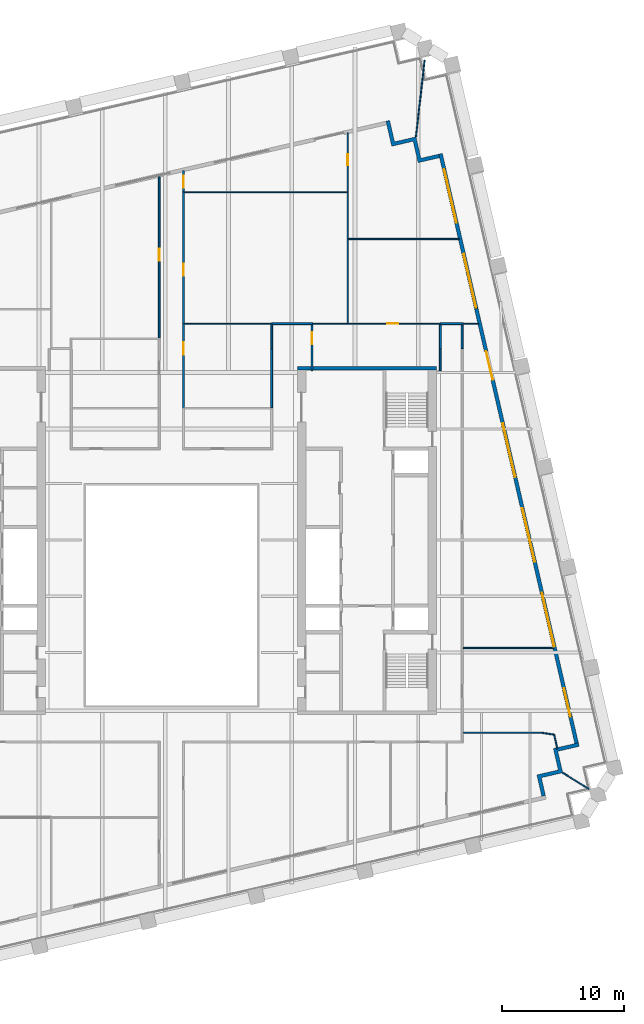
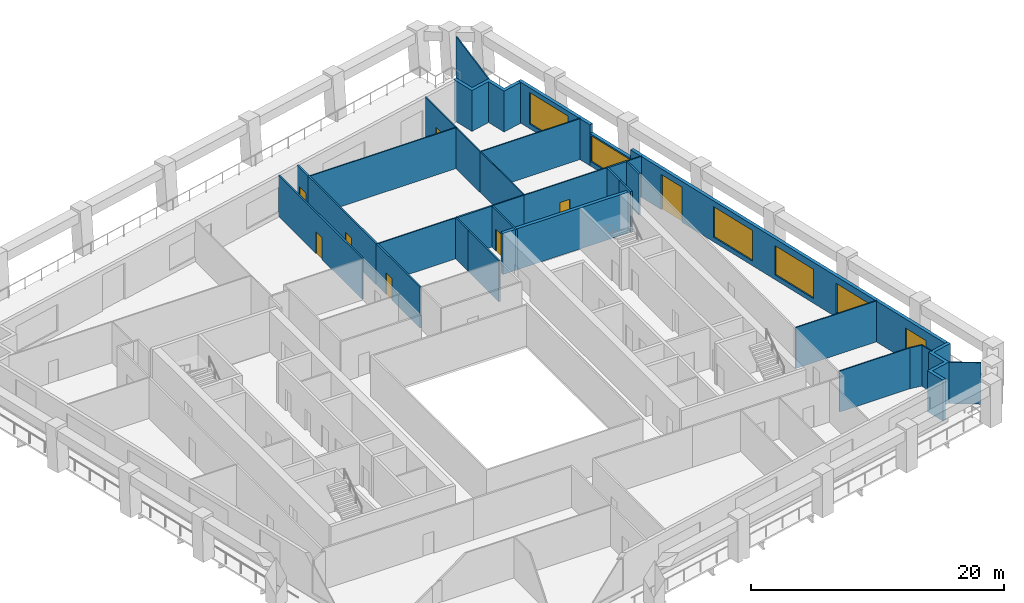
# One storey, part 8 of 11: 33 walls, 9 doors, 5 windows, 14 openings.
"""IFC4 building model written with IfcOpenShell, lengths in metres."""

from ifc_helpers import new_model, si_unit, direction, frame, frame_2d, origin, place, context, subcontext, project, spatial, polyline, rectangle, outline, extrude, material, layer, layer_set, type_object, element, fill, save


model = new_model("IFC4")

# Units and contexts
model_context = context("Model", 3, precision=1e-05, world=origin(), true_north=direction((0.0, 1.0)))
body_context = subcontext(model_context, "Body", "Model", "MODEL_VIEW")
ifc_project = project(units=[si_unit("LENGTHUNIT", "METRE"), si_unit("AREAUNIT", "SQUARE_METRE"), si_unit("VOLUMEUNIT", "CUBIC_METRE"), si_unit("PLANEANGLEUNIT", "RADIAN"), si_unit("MASSUNIT", "GRAM", prefix="KILO")], contexts=[model_context])

# Site, building, storey
site_placement = place(None, origin())
site = spatial("IfcSite", under=ifc_project, at=site_placement, CompositionType="ELEMENT")
building_placement = place(site_placement, origin())
building = spatial("IfcBuilding", under=site, at=building_placement, Name="Ogive Exchange Tower", CompositionType="ELEMENT")
storey_placement = place(building_placement, frame((0.0, 0.0, 217.800048828125)))
storey = spatial("IfcBuildingStorey", under=building, at=storey_placement, Name="L48", CompositionType="ELEMENT", Elevation=217.800048828125)

# Wall, opening, door
ifc_material_1 = material(Name="Fire partition EI 60 150")
ifc_layer_1 = layer(ifc_material_1, 0.14990234375)
ifc_layer_set_1 = layer_set([ifc_layer_1], Name="Fire partition EI 60 150")
wall_type_1 = type_object("IfcWallType", Name="Fire partition EI 60 150", PredefinedType="PARTITIONING", material=ifc_layer_set_1)
wall_1_placement = place(storey_placement, frame((-0.989990234375, 28.050048828125, 0.0), z_axis=(0.0, 0.0, 1.0), x_axis=(0.0, 1.0, 0.0)))
wall_1 = element("IfcWall", 1, at=wall_1_placement, inside=storey, type_object=wall_type_1, Name="L48-PWL-033", PredefinedType="PARTITIONING", context=body_context, shape_type="SweptSolid", body=[
    extrude(rectangle(XDim=13.245849609375, YDim=0.14990234375, at=frame_2d((6.623046875, 0.0))), origin(), (0.0, 0.0, 1.0), 3.949951171875),
])
opening_1_placement = place(wall_1_placement, frame((6.320068359375, 0.0, 0.0)))
opening_1 = element("IfcOpeningElement", 2, at=opening_1_placement, cuts=wall_1, Name="Opening L48-I04", PredefinedType="OPENING", context=body_context, shape_type="SweptSolid", body=[
    extrude(rectangle(XDim=1.0, YDim=2.10009765625, at=frame_2d((0.5, 1.050048828125))), frame((0.0, 0.0849609375, 0.0), z_axis=(0.0, -1.0, 0.0), x_axis=(1.0, 0.0, 0.0)), (0.0, 0.0, 1.0), 0.169921875),
])
ifc_material_2 = material(Name="Fire door FD 30S 1000 x 2100")
door_type_1 = type_object("IfcDoorType", Name="Fire door FD 30S 1000 x 2100", OperationType="NOTDEFINED", PredefinedType="DOOR", material=ifc_material_2)
door_1_placement = place(opening_1_placement, origin())
door_1 = element("IfcDoor", 3, at=door_1_placement, inside=storey, type_object=door_type_1, Name="L48-IDR-004", ObjectType="DT3", OperationType="SINGLE_SWING_LEFT", OverallHeight=2.10009765625, OverallWidth=1.0, PredefinedType="DOOR", context=body_context, shape_type="SweptSolid", body=[
    extrude(rectangle(XDim=1.0, YDim=2.10009765625, at=frame_2d((0.5, 1.050048828125))), frame((0.0, 0.02490234375, 0.0), z_axis=(0.0, -1.0, 0.0), x_axis=(1.0, 0.0, 0.0)), (0.0, 0.0, 1.0), 0.050048828125),
])
fill(opening_1, door_1)

wall_2_placement = place(storey_placement, frame((0.989990234375, 29.239990234375, 0.0), z_axis=(0.0, 0.0, 1.0), x_axis=(0.0, -1.0, 0.0)))
wall_2 = element("IfcWall", 4, at=wall_2_placement, inside=storey, type_object=wall_type_1, Name="L48-PWL-038", PredefinedType="PARTITIONING", context=body_context, shape_type="SweptSolid", body=[
    extrude(rectangle(XDim=6.929931640625, YDim=0.14990234375, at=frame_2d((3.46484375, 0.0))), origin(), (0.0, 0.0, 1.0), 3.949951171875),
])
opening_2_placement = place(wall_2_placement, frame((1.530029296875, 0.0, 0.0)))
opening_2 = element("IfcOpeningElement", 5, at=opening_2_placement, cuts=wall_2, Name="Opening L48-I19", PredefinedType="OPENING", context=body_context, shape_type="SweptSolid", body=[
    extrude(rectangle(XDim=1.0, YDim=2.10009765625, at=frame_2d((0.5, 1.050048828125))), frame((0.0, 0.0849609375, 0.0), z_axis=(0.0, -1.0, 0.0), x_axis=(1.0, 0.0, 0.0)), (0.0, 0.0, 1.0), 0.169921875),
])
door_2_placement = place(opening_2_placement, origin())
door_2 = element("IfcDoor", 6, at=door_2_placement, inside=storey, type_object=door_type_1, Name="L48-IDR-019", ObjectType="DT3", OperationType="SINGLE_SWING_RIGHT", OverallHeight=2.10009765625, OverallWidth=1.0, PredefinedType="DOOR", context=body_context, shape_type="SweptSolid", body=[
    extrude(rectangle(XDim=1.0, YDim=2.10009765625, at=frame_2d((0.5, 1.050048828125))), frame((0.0, 0.02490234375, 0.0), z_axis=(0.0, -1.0, 0.0), x_axis=(1.0, 0.0, 0.0)), (0.0, 0.0, 1.0), 0.050048828125),
])
fill(opening_2, door_2)

wall_3_placement = place(storey_placement, frame((0.989990234375, 40.050048828125, 0.0), z_axis=(0.0, 0.0, 1.0), x_axis=(0.0, -1.0, 0.0)))
wall_3 = element("IfcWall", 7, at=wall_3_placement, inside=storey, type_object=wall_type_1, Name="L48-PWL-040", PredefinedType="PARTITIONING", context=body_context, shape_type="SweptSolid", body=[
    extrude(rectangle(XDim=10.81005859375, YDim=0.14990234375, at=frame_2d((5.405029296875, 0.0))), origin(), (0.0, 0.0, 1.0), 3.949951171875),
])
opening_3_placement = place(wall_3_placement, frame((5.909912109375, 0.0, 0.0)))
opening_3 = element("IfcOpeningElement", 8, at=opening_3_placement, cuts=wall_3, Name="Opening L48-I22", PredefinedType="OPENING", context=body_context, shape_type="SweptSolid", body=[
    extrude(rectangle(XDim=1.0, YDim=2.10009765625, at=frame_2d((0.5, 1.050048828125))), frame((0.0, 0.0849609375, 0.0), z_axis=(0.0, -1.0, 0.0), x_axis=(1.0, 0.0, 0.0)), (0.0, 0.0, 1.0), 0.169921875),
])
door_3_placement = place(opening_3_placement, origin())
door_3 = element("IfcDoor", 9, at=door_3_placement, inside=storey, type_object=door_type_1, Name="L48-IDR-022", ObjectType="DT3", OperationType="SINGLE_SWING_RIGHT", OverallHeight=2.10009765625, OverallWidth=1.0, PredefinedType="DOOR", context=body_context, shape_type="SweptSolid", body=[
    extrude(rectangle(XDim=1.0, YDim=2.10009765625, at=frame_2d((0.5, 1.050048828125))), frame((0.0, 0.02490234375, 0.0), z_axis=(0.0, -1.0, 0.0), x_axis=(1.0, 0.0, 0.0)), (0.0, 0.0, 1.0), 0.050048828125),
])
fill(opening_3, door_3)

wall_4_placement = place(storey_placement, frame((0.989990234375, 41.7529296875, 0.0), z_axis=(0.0, 0.0, 1.0), x_axis=(0.0, -1.0, 0.0)))
wall_4 = element("IfcWall", 10, at=wall_4_placement, inside=storey, type_object=wall_type_1, Name="L48-PWL-041", PredefinedType="PARTITIONING", context=body_context, shape_type="SweptSolid", body=[
    extrude(rectangle(XDim=1.702880859375, YDim=0.14990234375, at=frame_2d((0.8515625, 0.0))), origin(), (0.0, 0.0, 1.0), 3.949951171875),
])
opening_4_placement = place(wall_4_placement, frame((0.403076171875, 0.0, 0.0)))
opening_4 = element("IfcOpeningElement", 11, at=opening_4_placement, cuts=wall_4, Name="Opening L48-I21", PredefinedType="OPENING", context=body_context, shape_type="SweptSolid", body=[
    extrude(rectangle(XDim=1.0, YDim=2.10009765625, at=frame_2d((0.5, 1.050048828125))), frame((0.0, 0.0849609375, 0.0), z_axis=(0.0, -1.0, 0.0), x_axis=(1.0, 0.0, 0.0)), (0.0, 0.0, 1.0), 0.169921875),
])
door_4_placement = place(opening_4_placement, origin())
door_4 = element("IfcDoor", 12, at=door_4_placement, inside=storey, type_object=door_type_1, Name="L48-IDR-021", ObjectType="DT3", OperationType="SINGLE_SWING_RIGHT", OverallHeight=2.10009765625, OverallWidth=1.0, PredefinedType="DOOR", context=body_context, shape_type="SweptSolid", body=[
    extrude(rectangle(XDim=1.0, YDim=2.10009765625, at=frame_2d((0.5, 1.050048828125))), frame((0.0, 0.02490234375, 0.0), z_axis=(0.0, -1.0, 0.0), x_axis=(1.0, 0.0, 0.0)), (0.0, 0.0, 1.0), 0.050048828125),
])
fill(opening_4, door_4)

# Walls
wall_5_placement = place(storey_placement, frame((8.199951171875, 22.360107421875, 0.0), z_axis=(0.0, 0.0, 1.0), x_axis=(0.0, 1.0, 0.0)))
element("IfcWall", 13, at=wall_5_placement, inside=storey, type_object=wall_type_1, Name="L48-PWL-043", PredefinedType="PARTITIONING", context=body_context, shape_type="SweptSolid", body=[
    extrude(rectangle(XDim=4.83984375, YDim=0.14990234375, at=frame_2d((2.419921875, 0.0))), origin(), (0.0, 0.0, 1.0), 3.949951171875),
])
wall_6_placement = place(storey_placement, frame((8.2099609375, 27.199951171875, 0.0), z_axis=(0.0, 0.0, 1.0), x_axis=(0.0, 1.0, 0.0)))
element("IfcWall", 14, at=wall_6_placement, inside=storey, type_object=wall_type_1, Name="L48-PWL-044", PredefinedType="PARTITIONING", context=body_context, shape_type="SweptSolid", body=[
    extrude(rectangle(XDim=1.989990234375, YDim=0.14990234375, at=frame_2d((0.9951171875, 0.0))), origin(), (0.0, 0.0, 1.0), 3.949951171875),
])
wall_7_placement = place(storey_placement, frame((8.2099609375, 29.239990234375, 0.0), z_axis=(0.0, 0.0, 1.0), x_axis=(1.0, 0.0, 0.0)))
element("IfcWall", 15, at=wall_7_placement, inside=storey, type_object=wall_type_1, Name="L48-PWL-045", PredefinedType="PARTITIONING", context=body_context, shape_type="SweptSolid", body=[
    extrude(rectangle(XDim=3.364990234375, YDim=0.14990234375, at=frame_2d((1.6826171875, 0.0))), origin(), (0.0, 0.0, 1.0), 3.949951171875),
])

# Wall, opening, door
wall_8_placement = place(storey_placement, frame((11.5, 29.1650390625, 0.0), z_axis=(0.0, 0.0, 1.0), x_axis=(0.0, -1.0, 0.0)))
wall_8 = element("IfcWall", 16, at=wall_8_placement, inside=storey, type_object=wall_type_1, Name="L48-PWL-047", PredefinedType="PARTITIONING", context=body_context, shape_type="SweptSolid", body=[
    extrude(rectangle(XDim=3.76513671875, YDim=0.14990234375, at=frame_2d((1.882568359375, 0.0))), origin(), (0.0, 0.0, 1.0), 3.949951171875),
])
opening_5_placement = place(wall_8_placement, frame((0.614990234375, 0.0, 0.0)))
opening_5 = element("IfcOpeningElement", 17, at=opening_5_placement, cuts=wall_8, Name="Opening L48-I20", PredefinedType="OPENING", context=body_context, shape_type="SweptSolid", body=[
    extrude(rectangle(XDim=1.0, YDim=2.10009765625, at=frame_2d((0.5, 1.050048828125))), frame((0.0, 0.0849609375, 0.0), z_axis=(0.0, -1.0, 0.0), x_axis=(1.0, 0.0, 0.0)), (0.0, 0.0, 1.0), 0.169921875),
])
door_5_placement = place(opening_5_placement, origin())
door_5 = element("IfcDoor", 18, at=door_5_placement, inside=storey, type_object=door_type_1, Name="L48-IDR-020", ObjectType="DT3", OperationType="SINGLE_SWING_RIGHT", OverallHeight=2.10009765625, OverallWidth=1.0, PredefinedType="DOOR", context=body_context, shape_type="SweptSolid", body=[
    extrude(rectangle(XDim=1.0, YDim=2.10009765625, at=frame_2d((0.5, 1.050048828125))), frame((0.0, 0.02490234375, 0.0), z_axis=(0.0, -1.0, 0.0), x_axis=(1.0, 0.0, 0.0)), (0.0, 0.0, 1.0), 0.050048828125),
])
fill(opening_5, door_5)

# Walls
wall_9_placement = place(storey_placement, frame((22.0, 25.39990234375, 0.0), z_axis=(0.0, 0.0, 1.0), x_axis=(0.0, 1.0, 0.0)))
element("IfcWall", 19, at=wall_9_placement, inside=storey, type_object=wall_type_1, Name="L48-PWL-059", PredefinedType="PARTITIONING", context=body_context, shape_type="SweptSolid", body=[
    extrude(rectangle(XDim=1.800048828125, YDim=0.14990234375, at=frame_2d((0.89990234375, 0.0))), origin(), (0.0, 0.0, 1.0), 3.949951171875),
])
wall_10_placement = place(storey_placement, frame((22.010009765625, 27.199951171875, 0.0), z_axis=(0.0, 0.0, 1.0), x_axis=(0.0, 1.0, 0.0)))
element("IfcWall", 20, at=wall_10_placement, inside=storey, type_object=wall_type_1, Name="L48-PWL-060", PredefinedType="PARTITIONING", context=body_context, shape_type="SweptSolid", body=[
    extrude(rectangle(XDim=1.989990234375, YDim=0.14990234375, at=frame_2d((0.9951171875, 0.0))), origin(), (0.0, 0.0, 1.0), 3.949951171875),
])
wall_11_placement = place(storey_placement, frame((22.010009765625, 29.239990234375, 0.0), z_axis=(0.0, 0.0, 1.0), x_axis=(1.0, 0.0, 0.0)))
element("IfcWall", 21, at=wall_11_placement, inside=storey, type_object=wall_type_1, Name="L48-PWL-061", PredefinedType="PARTITIONING", context=body_context, shape_type="SweptSolid", body=[
    extrude(rectangle(XDim=1.85498046875, YDim=0.14990234375, at=frame_2d((0.927490234375, 0.0))), origin(), (0.0, 0.0, 1.0), 3.949951171875),
])
wall_12_placement = place(storey_placement, frame((23.7900390625, 29.1650390625, 0.0), z_axis=(0.0, 0.0, 1.0), x_axis=(0.0, -1.0, 0.0)))
element("IfcWall", 22, at=wall_12_placement, inside=storey, type_object=wall_type_1, Name="L48-PWL-064", PredefinedType="PARTITIONING", context=body_context, shape_type="SweptSolid", body=[
    extrude(rectangle(XDim=1.965087890625, YDim=0.14990234375, at=frame_2d((0.982421875, 0.0))), origin(), (0.0, 0.0, 1.0), 3.949951171875),
])

# Wall, openings, doors, windows
ifc_material_3 = material(Name="Precast concrete C40/50", Category="concrete")
ifc_layer_2 = layer(ifc_material_3, 0.300048828125)
ifc_layer_set_2 = layer_set([ifc_layer_2], Name="Limestone-faced wall 300")
wall_type_2 = type_object("IfcWallType", Name="Limestone-faced wall 300", PredefinedType="STANDARD", material=ifc_layer_set_2)
wall_13_placement = place(storey_placement, frame((33.1572265625, -5.092041015625, 0.0), z_axis=(0.0, 0.0, 1.0), x_axis=(-0.22494993302, 0.974370323663, 0.0)))
wall_13 = element("IfcWall", 23, at=wall_13_placement, inside=storey, type_object=wall_type_2, Name="External wall E2", PredefinedType="STANDARD", context=body_context, shape_type="SweptSolid", body=[
    extrude(rectangle(XDim=36.478271484375, YDim=0.300048828125, at=frame_2d((18.2392578125, 0.0))), origin(), (0.0, 0.0, 1.0), 3.949951171875),
])
opening_6_placement = place(wall_13_placement, frame((2.20703125, 0.0, 0.0)))
opening_6 = element("IfcOpeningElement", 24, at=opening_6_placement, cuts=wall_13, Name="Opening D1K", PredefinedType="OPENING", context=body_context, shape_type="SweptSolid", body=[
    extrude(rectangle(XDim=2.39990234375, YDim=3.074951171875, at=frame_2d((1.199951171875, 1.53759765625))), frame((0.0, 0.159912109375, 0.0), z_axis=(0.0, -1.0, 0.0), x_axis=(1.0, 0.0, 0.0)), (0.0, 0.0, 1.0), 0.320068359375),
])
opening_7_placement = place(wall_13_placement, frame((8.121337890625, 0.0, 0.449951171875)))
opening_7 = element("IfcOpeningElement", 25, at=opening_7_placement, cuts=wall_13, Name="Opening W1E", PredefinedType="OPENING", context=body_context, shape_type="SweptSolid", body=[
    extrude(rectangle(XDim=4.5, YDim=2.824951171875, at=frame_2d((2.25, 1.41259765625))), frame((0.0, 0.159912109375, 0.0), z_axis=(0.0, -1.0, 0.0), x_axis=(1.0, 0.0, 0.0)), (0.0, 0.0, 1.0), 0.320068359375),
])
opening_8_placement = place(wall_13_placement, frame((15.235595703125, 0.0, 0.449951171875)))
opening_8 = element("IfcOpeningElement", 26, at=opening_8_placement, cuts=wall_13, Name="Opening W1E", PredefinedType="OPENING", context=body_context, shape_type="SweptSolid", body=[
    extrude(rectangle(XDim=4.5, YDim=2.824951171875, at=frame_2d((2.25, 1.41259765625))), frame((0.0, 0.159912109375, 0.0), z_axis=(0.0, -1.0, 0.0), x_axis=(1.0, 0.0, 0.0)), (0.0, 0.0, 1.0), 0.320068359375),
])
opening_9_placement = place(wall_13_placement, frame((22.35009765625, 0.0, 0.449951171875)))
opening_9 = element("IfcOpeningElement", 27, at=opening_9_placement, cuts=wall_13, Name="Opening W1B", PredefinedType="OPENING", context=body_context, shape_type="SweptSolid", body=[
    extrude(rectangle(XDim=4.5, YDim=2.949951171875, at=frame_2d((2.25, 1.47509765625))), frame((0.0, 0.159912109375, 0.0), z_axis=(0.0, -1.0, 0.0), x_axis=(1.0, 0.0, 0.0)), (0.0, 0.0, 1.0), 0.320068359375),
])
opening_10_placement = place(wall_13_placement, frame((30.51416015625, 0.0, 0.0)))
opening_10 = element("IfcOpeningElement", 28, at=opening_10_placement, cuts=wall_13, Name="Opening D1B", PredefinedType="OPENING", context=body_context, shape_type="SweptSolid", body=[
    extrude(rectangle(XDim=2.39990234375, YDim=3.39990234375, at=frame_2d((1.199951171875, 1.699951171875))), frame((0.0, 0.159912109375, 0.0), z_axis=(0.0, -1.0, 0.0), x_axis=(1.0, 0.0, 0.0)), (0.0, 0.0, 1.0), 0.320068359375),
])
ifc_material_4 = material(Name="Clear glass in bronze frame", Category="glass")
door_type_2 = type_object("IfcDoorType", Name="Sliding loggia door 2400 x 3075", OperationType="DOUBLE_DOOR_SLIDING", PredefinedType="DOOR", material=ifc_material_4)
door_6_placement = place(opening_6_placement, origin())
door_6 = element("IfcDoor", 29, at=door_6_placement, inside=storey, type_object=door_type_2, Name="Loggia door E00", OperationType="DOUBLE_DOOR_SLIDING", OverallHeight=3.074951171875, OverallWidth=2.39990234375, PredefinedType="DOOR", context=body_context, shape_type="SweptSolid", body=[
    extrude(rectangle(XDim=2.39990234375, YDim=3.074951171875, at=frame_2d((1.199951171875, 1.53759765625))), frame((0.0, 0.02490234375, 0.0), z_axis=(0.0, -1.0, 0.0), x_axis=(1.0, 0.0, 0.0)), (0.0, 0.0, 1.0), 0.050048828125),
])
fill(opening_6, door_6)
door_type_3 = type_object("IfcDoorType", Name="Sliding loggia door 2400 x 3400", OperationType="DOUBLE_DOOR_SLIDING", PredefinedType="DOOR", material=ifc_material_4)
door_7_placement = place(opening_10_placement, origin())
door_7 = element("IfcDoor", 30, at=door_7_placement, inside=storey, type_object=door_type_3, Name="Loggia door E04", OperationType="DOUBLE_DOOR_SLIDING", OverallHeight=3.39990234375, OverallWidth=2.39990234375, PredefinedType="DOOR", context=body_context, shape_type="SweptSolid", body=[
    extrude(rectangle(XDim=2.39990234375, YDim=3.39990234375, at=frame_2d((1.199951171875, 1.699951171875))), frame((0.0, 0.02490234375, 0.0), z_axis=(0.0, -1.0, 0.0), x_axis=(1.0, 0.0, 0.0)), (0.0, 0.0, 1.0), 0.050048828125),
])
fill(opening_10, door_7)
window_type_1 = type_object("IfcWindowType", Name="Twin lancet window 4500 x 2825", PartitioningType="DOUBLE_PANEL_VERTICAL", PredefinedType="WINDOW", material=ifc_material_4)
window_1_placement = place(opening_7_placement, origin())
window_1 = element("IfcWindow", 31, at=window_1_placement, inside=storey, type_object=window_type_1, Name="Window E01", OverallHeight=2.824951171875, OverallWidth=4.5, PartitioningType="DOUBLE_PANEL_VERTICAL", PredefinedType="WINDOW", context=body_context, shape_type="SweptSolid", body=[
    extrude(rectangle(XDim=4.5, YDim=2.824951171875, at=frame_2d((2.25, 1.41259765625))), frame((0.0, 0.030029296875, 0.0), z_axis=(0.0, -1.0, 0.0), x_axis=(1.0, 0.0, 0.0)), (0.0, 0.0, 1.0), 0.06005859375),
])
fill(opening_7, window_1)
window_2_placement = place(opening_8_placement, origin())
window_2 = element("IfcWindow", 32, at=window_2_placement, inside=storey, type_object=window_type_1, Name="Window E02", OverallHeight=2.824951171875, OverallWidth=4.5, PartitioningType="DOUBLE_PANEL_VERTICAL", PredefinedType="WINDOW", context=body_context, shape_type="SweptSolid", body=[
    extrude(rectangle(XDim=4.5, YDim=2.824951171875, at=frame_2d((2.25, 1.41259765625))), frame((0.0, 0.030029296875, 0.0), z_axis=(0.0, -1.0, 0.0), x_axis=(1.0, 0.0, 0.0)), (0.0, 0.0, 1.0), 0.06005859375),
])
fill(opening_8, window_2)
window_type_2 = type_object("IfcWindowType", Name="Twin lancet window 4500 x 2950", PartitioningType="DOUBLE_PANEL_VERTICAL", PredefinedType="WINDOW", material=ifc_material_4)
window_3_placement = place(opening_9_placement, origin())
window_3 = element("IfcWindow", 33, at=window_3_placement, inside=storey, type_object=window_type_2, Name="Window E03", OverallHeight=2.949951171875, OverallWidth=4.5, PartitioningType="DOUBLE_PANEL_VERTICAL", PredefinedType="WINDOW", context=body_context, shape_type="SweptSolid", body=[
    extrude(rectangle(XDim=4.5, YDim=2.949951171875, at=frame_2d((2.25, 1.47509765625))), frame((0.0, 0.030029296875, 0.0), z_axis=(0.0, -1.0, 0.0), x_axis=(1.0, 0.0, 0.0)), (0.0, 0.0, 1.0), 0.06005859375),
])
fill(opening_9, window_3)

# Walls
wall_14_placement = place(storey_placement, origin())
element("IfcWall", 34, at=wall_14_placement, inside=storey, type_object=wall_type_2, Name="External corner wall C1", PredefinedType="STANDARD", context=body_context, shape_type="SweptSolid", body=[
    extrude(outline(polyline([(31.662109375, -7.28466796875), (31.257080078125, -5.53076171875), (33.30322265625, -5.058349609375), (33.370849609375, -5.3505859375), (31.616943359375, -5.755615234375), (32.02197265625, -7.509521484375), (30.26806640625, -7.914306640625), (30.60546875, -9.3759765625), (30.31298828125, -9.443359375), (29.908203125, -7.689697265625), (31.662109375, -7.28466796875)])), origin(), (0.0, 0.0, 1.0), 3.949951171875),
])
wall_15_placement = place(storey_placement, origin())
element("IfcWall", 35, at=wall_15_placement, inside=storey, type_object=wall_type_2, Name="External corner wall C2", PredefinedType="STANDARD", context=body_context, shape_type="SweptSolid", body=[
    extrude(outline(polyline([(19.78466796875, 44.162109375), (18.03076171875, 43.757080078125), (17.558349609375, 45.80322265625), (17.8505859375, 45.870849609375), (18.255615234375, 44.116943359375), (20.009521484375, 44.52197265625), (20.414306640625, 42.76806640625), (21.8759765625, 43.10546875), (21.943359375, 42.81298828125), (20.189697265625, 42.408203125), (19.78466796875, 44.162109375)])), origin(), (0.0, 0.0, 1.0), 3.949951171875),
])

# Wall, opening, window
wall_16_placement = place(storey_placement, frame((24.951416015625, 30.451416015625, 0.0), z_axis=(0.0, 0.0, 1.0), x_axis=(-0.224969521518, 0.974365801118, 0.0)))
wall_16 = element("IfcWall", 36, at=wall_16_placement, inside=storey, type_object=wall_type_2, Name="External wall E2", PredefinedType="STANDARD", context=body_context, shape_type="SweptSolid", body=[
    extrude(rectangle(XDim=4.699951171875, YDim=0.300048828125, at=frame_2d((2.35009765625, 0.0))), origin(), (0.0, 0.0, 1.0), 3.114013671875),
])
opening_11_placement = place(wall_16_placement, frame((0.10009765625, 0.0, 0.449951171875)))
opening_11 = element("IfcOpeningElement", 37, at=opening_11_placement, cuts=wall_16, Name="Opening W1N", PredefinedType="OPENING", context=body_context, shape_type="SweptSolid", body=[
    extrude(rectangle(XDim=4.5, YDim=2.52490234375, at=frame_2d((2.25, 1.262451171875))), frame((0.0, 0.159912109375, 0.0), z_axis=(0.0, -1.0, 0.0), x_axis=(1.0, 0.0, 0.0)), (0.0, 0.0, 1.0), 0.320068359375),
])
window_type_3 = type_object("IfcWindowType", Name="Twin lancet window 4500 x 2525", PartitioningType="DOUBLE_PANEL_VERTICAL", PredefinedType="WINDOW", material=ifc_material_4)
window_4_placement = place(opening_11_placement, origin())
window_4 = element("IfcWindow", 38, at=window_4_placement, inside=storey, type_object=window_type_3, Name="Window E05", OverallHeight=2.52490234375, OverallWidth=4.5, PartitioningType="DOUBLE_PANEL_VERTICAL", PredefinedType="WINDOW", context=body_context, shape_type="SweptSolid", body=[
    extrude(rectangle(XDim=4.5, YDim=2.52490234375, at=frame_2d((2.25, 1.262451171875))), frame((0.0, 0.030029296875, 0.0), z_axis=(0.0, -1.0, 0.0), x_axis=(1.0, 0.0, 0.0)), (0.0, 0.0, 1.0), 0.06005859375),
])
fill(opening_11, window_4)

wall_17_placement = place(storey_placement, frame((23.89404296875, 35.031005859375, 0.0), z_axis=(0.0, 0.0, 1.0), x_axis=(-0.224940929452, 0.974372402245, 0.0)))
wall_17 = element("IfcWall", 39, at=wall_17_placement, inside=storey, type_object=wall_type_2, Name="External wall E2", PredefinedType="STANDARD", context=body_context, shape_type="SweptSolid", body=[
    extrude(rectangle(XDim=8.321533203125, YDim=0.300048828125, at=frame_2d((4.16064453125, 0.0))), origin(), (0.0, 0.0, 1.0), 3.949951171875),
])
opening_12_placement = place(wall_17_placement, frame((2.514404296875, 0.0, 0.449951171875)))
opening_12 = element("IfcOpeningElement", 40, at=opening_12_placement, cuts=wall_17, Name="Opening W1", PredefinedType="OPENING", context=body_context, shape_type="SweptSolid", body=[
    extrude(rectangle(XDim=4.5, YDim=3.050048828125, at=frame_2d((2.25, 1.52490234375))), frame((0.0, 0.159912109375, 0.0), z_axis=(0.0, -1.0, 0.0), x_axis=(1.0, 0.0, 0.0)), (0.0, 0.0, 1.0), 0.320068359375),
])
window_type_4 = type_object("IfcWindowType", Name="Twin lancet window 4500 x 3050", PartitioningType="DOUBLE_PANEL_VERTICAL", PredefinedType="WINDOW", material=ifc_material_4)
window_5_placement = place(opening_12_placement, origin())
window_5 = element("IfcWindow", 41, at=window_5_placement, inside=storey, type_object=window_type_4, Name="Window E06", OverallHeight=3.050048828125, OverallWidth=4.5, PartitioningType="DOUBLE_PANEL_VERTICAL", PredefinedType="WINDOW", context=body_context, shape_type="SweptSolid", body=[
    extrude(rectangle(XDim=4.5, YDim=3.050048828125, at=frame_2d((2.25, 1.52490234375))), frame((0.0, 0.030029296875, 0.0), z_axis=(0.0, -1.0, 0.0), x_axis=(1.0, 0.0, 0.0)), (0.0, 0.0, 1.0), 0.06005859375),
])
fill(opening_12, window_5)

# Walls
ifc_material_5 = material(Name="Laminated safety glass in steel frame", Category="steel")
ifc_layer_3 = layer(ifc_material_5, 0.10009765625)
ifc_layer_set_3 = layer_set([ifc_layer_3], Name="Loggia end screen 100")
wall_type_3 = type_object("IfcWallType", Name="Loggia end screen 100", PredefinedType="STANDARD", material=ifc_layer_set_3)
wall_18_placement = place(storey_placement, frame((32.02197265625, -7.509521484375, -0.050048828125), z_axis=(0.0, 0.0, 1.0), x_axis=(0.848047176257, -0.529920736377, 0.0)))
element("IfcWall", 42, at=wall_18_placement, inside=storey, type_object=wall_type_3, Name="Loggia end screen C1", PredefinedType="STANDARD", context=body_context, shape_type="SweptSolid", body=[
    extrude(rectangle(XDim=2.525634765625, YDim=0.10009765625, at=frame_2d((1.2626953125, 0.0))), origin(), (0.0, 0.0, 1.0), 4.0),
])
wall_19_placement = place(storey_placement, frame((20.009521484375, 44.52197265625, -0.050048828125), z_axis=(0.0, 0.0, 1.0), x_axis=(0.112780737816, 0.993619899749, 0.0)))
element("IfcWall", 43, at=wall_19_placement, inside=storey, type_object=wall_type_3, Name="Loggia end screen C2", PredefinedType="STANDARD", context=body_context, shape_type="SweptSolid", body=[
    extrude(rectangle(XDim=6.32958984375, YDim=0.10009765625, at=frame_2d((3.164794921875, 0.0))), origin(), (0.0, 0.0, 1.0), 4.0),
])
ifc_material_6 = material(Name="Partition 100 gypsum")
ifc_layer_4 = layer(ifc_material_6, 0.10009765625)
ifc_layer_set_4 = layer_set([ifc_layer_4], Name="Partition 100 gypsum")
wall_type_4 = type_object("IfcWallType", Name="Partition 100 gypsum", PredefinedType="PARTITIONING", material=ifc_layer_set_4)
wall_20_placement = place(storey_placement, frame((1.06494140625, 29.239990234375, 0.0), z_axis=(0.0, 0.0, 1.0), x_axis=(1.0, 0.0, 0.0)))
element("IfcWall", 44, at=wall_20_placement, inside=storey, type_object=wall_type_4, Name="L48-PWL-039", PredefinedType="PARTITIONING", context=body_context, shape_type="SweptSolid", body=[
    extrude(rectangle(XDim=7.14501953125, YDim=0.10009765625, at=frame_2d((3.572509765625, 0.0))), origin(), (0.0, 0.0, 1.0), 3.949951171875),
])
wall_21_placement = place(storey_placement, frame((11.574951171875, 29.239990234375, 0.0), z_axis=(0.0, 0.0, 1.0), x_axis=(1.0, 0.0, 0.0)))
element("IfcWall", 45, at=wall_21_placement, inside=storey, type_object=wall_type_4, Name="L48-PWL-048", PredefinedType="PARTITIONING", context=body_context, shape_type="SweptSolid", body=[
    extrude(rectangle(XDim=2.804931640625, YDim=0.10009765625, at=frame_2d((1.40234375, 0.0))), origin(), (0.0, 0.0, 1.0), 3.949951171875),
])

# Wall, opening, door
wall_22_placement = place(storey_placement, frame((14.3798828125, 29.239990234375, 0.0), z_axis=(0.0, 0.0, 1.0), x_axis=(1.0, 0.0, 0.0)))
wall_22 = element("IfcWall", 46, at=wall_22_placement, inside=storey, type_object=wall_type_4, Name="L48-PWL-051", PredefinedType="PARTITIONING", context=body_context, shape_type="SweptSolid", body=[
    extrude(rectangle(XDim=7.630126953125, YDim=0.10009765625, at=frame_2d((3.81494140625, 0.0))), origin(), (0.0, 0.0, 1.0), 3.949951171875),
])
opening_13_placement = place(wall_22_placement, frame((3.280029296875, 0.0, 0.0)))
opening_13 = element("IfcOpeningElement", 47, at=opening_13_placement, cuts=wall_22, Name="Opening L48-I23", PredefinedType="OPENING", context=body_context, shape_type="SweptSolid", body=[
    extrude(rectangle(XDim=0.89990234375, YDim=2.10009765625, at=frame_2d((0.449951171875, 1.050048828125))), frame((0.0, 0.06005859375, 0.0), z_axis=(0.0, -1.0, 0.0), x_axis=(1.0, 0.0, 0.0)), (0.0, 0.0, 1.0), 0.1201171875),
])
ifc_material_7 = material(Name="Door 900 x 2100")
door_type_4 = type_object("IfcDoorType", Name="Door 900 x 2100", OperationType="NOTDEFINED", PredefinedType="DOOR", material=ifc_material_7)
door_8_placement = place(opening_13_placement, frame((0.89990234375, 0.0, 0.0), z_axis=(0.0, 0.0, 1.0), x_axis=(-1.0, 0.0, 0.0)))
door_8 = element("IfcDoor", 48, at=door_8_placement, inside=storey, type_object=door_type_4, Name="L48-IDR-023", ObjectType="DT1", OperationType="SINGLE_SWING_RIGHT", OverallHeight=2.10009765625, OverallWidth=0.89990234375, PredefinedType="DOOR", context=body_context, shape_type="SweptSolid", body=[
    extrude(rectangle(XDim=0.89990234375, YDim=2.10009765625, at=frame_2d((0.449951171875, 1.050048828125))), frame((0.0, 0.02490234375, 0.0), z_axis=(0.0, -1.0, 0.0), x_axis=(1.0, 0.0, 0.0)), (0.0, 0.0, 1.0), 0.050048828125),
])
fill(opening_13, door_8)

# Walls
wall_23_placement = place(storey_placement, frame((14.429931640625, 36.219970703125, 0.0), z_axis=(0.0, 0.0, 1.0), x_axis=(0.0, -1.0, 0.0)))
element("IfcWall", 49, at=wall_23_placement, inside=storey, type_object=wall_type_4, Name="L48-PWL-052", PredefinedType="PARTITIONING", context=body_context, shape_type="SweptSolid", body=[
    extrude(rectangle(XDim=6.929931640625, YDim=0.10009765625, at=frame_2d((3.46484375, 0.0))), origin(), (0.0, 0.0, 1.0), 3.949951171875),
])
wall_24_placement = place(storey_placement, frame((14.47998046875, 36.169921875, 0.0), z_axis=(0.0, 0.0, 1.0), x_axis=(1.0, 0.0, 0.0)))
element("IfcWall", 50, at=wall_24_placement, inside=storey, type_object=wall_type_4, Name="L48-PWL-053", PredefinedType="PARTITIONING", context=body_context, shape_type="SweptSolid", body=[
    extrude(rectangle(XDim=9.080078125, YDim=0.10009765625, at=frame_2d((4.5400390625, 0.0))), origin(), (0.0, 0.0, 1.0), 3.949951171875),
])
wall_25_placement = place(storey_placement, frame((14.47998046875, 40.0, 0.0), z_axis=(0.0, 0.0, 1.0), x_axis=(-1.0, 0.0, 0.0)))
element("IfcWall", 51, at=wall_25_placement, inside=storey, type_object=wall_type_4, Name="L48-PWL-054", PredefinedType="PARTITIONING", context=body_context, shape_type="SweptSolid", body=[
    extrude(rectangle(XDim=13.4150390625, YDim=0.10009765625, at=frame_2d((6.70751953125, 0.0))), origin(), (0.0, 0.0, 1.0), 3.949951171875),
])
wall_26_placement = place(storey_placement, frame((14.429931640625, 39.949951171875, 0.0), z_axis=(0.0, 0.0, 1.0), x_axis=(0.0, -1.0, 0.0)))
element("IfcWall", 52, at=wall_26_placement, inside=storey, type_object=wall_type_4, Name="L48-PWL-055", PredefinedType="PARTITIONING", context=body_context, shape_type="SweptSolid", body=[
    extrude(rectangle(XDim=3.780029296875, YDim=0.10009765625, at=frame_2d((1.89013671875, 0.0))), origin(), (0.0, 0.0, 1.0), 3.949951171875),
])

# Wall, opening, door
wall_27_placement = place(storey_placement, frame((14.429931640625, 44.85595703125, 0.0), z_axis=(0.0, 0.0, 1.0), x_axis=(0.0, -1.0, 0.0)))
wall_27 = element("IfcWall", 53, at=wall_27_placement, inside=storey, type_object=wall_type_4, Name="L48-PWL-056", PredefinedType="PARTITIONING", context=body_context, shape_type="SweptSolid", body=[
    extrude(rectangle(XDim=4.805908203125, YDim=0.10009765625, at=frame_2d((2.40283203125, 0.0))), origin(), (0.0, 0.0, 1.0), 3.949951171875),
])
opening_14_placement = place(wall_27_placement, frame((1.756103515625, 0.0, 0.0)))
opening_14 = element("IfcOpeningElement", 54, at=opening_14_placement, cuts=wall_27, Name="Opening L48-I24", PredefinedType="OPENING", context=body_context, shape_type="SweptSolid", body=[
    extrude(rectangle(XDim=0.89990234375, YDim=2.10009765625, at=frame_2d((0.449951171875, 1.050048828125))), frame((0.0, 0.06005859375, 0.0), z_axis=(0.0, -1.0, 0.0), x_axis=(1.0, 0.0, 0.0)), (0.0, 0.0, 1.0), 0.1201171875),
])
door_9_placement = place(opening_14_placement, frame((0.89990234375, 0.0, 0.0), z_axis=(0.0, 0.0, 1.0), x_axis=(-1.0, 0.0, 0.0)))
door_9 = element("IfcDoor", 55, at=door_9_placement, inside=storey, type_object=door_type_4, Name="L48-IDR-024", ObjectType="DT1", OperationType="SINGLE_SWING_LEFT", OverallHeight=2.10009765625, OverallWidth=0.89990234375, PredefinedType="DOOR", context=body_context, shape_type="SweptSolid", body=[
    extrude(rectangle(XDim=0.89990234375, YDim=2.10009765625, at=frame_2d((0.449951171875, 1.050048828125))), frame((0.0, 0.02490234375, 0.0), z_axis=(0.0, -1.0, 0.0), x_axis=(1.0, 0.0, 0.0)), (0.0, 0.0, 1.0), 0.050048828125),
])
fill(opening_14, door_9)

# Walls
wall_28_placement = place(storey_placement, frame((23.864990234375, 29.239990234375, 0.0), z_axis=(0.0, 0.0, 1.0), x_axis=(1.0, 0.0, 0.0)))
element("IfcWall", 56, at=wall_28_placement, inside=storey, type_object=wall_type_4, Name="L48-PWL-065", PredefinedType="PARTITIONING", context=body_context, shape_type="SweptSolid", body=[
    extrude(rectangle(XDim=1.294921875, YDim=0.10009765625, at=frame_2d((0.6474609375, 0.0))), origin(), (0.0, 0.0, 1.0), 3.949951171875),
])
wall_29_placement = place(storey_placement, frame((30.300048828125, -4.239990234375, 0.0), z_axis=(0.0, 0.0, 1.0), x_axis=(-1.0, 0.0, 0.0)))
element("IfcWall", 57, at=wall_29_placement, inside=storey, type_object=wall_type_4, Name="L48-PWL-070", PredefinedType="PARTITIONING", context=body_context, shape_type="SweptSolid", body=[
    extrude(rectangle(XDim=6.425048828125, YDim=0.10009765625, at=frame_2d((3.21240234375, 0.0))), origin(), (0.0, 0.0, 1.0), 3.949951171875),
])
wall_30_placement = place(storey_placement, frame((31.368896484375, -4.39697265625, 0.0), z_axis=(0.0, 0.0, 1.0), x_axis=(-0.989385908309, 0.145311817963, 0.0)))
element("IfcWall", 58, at=wall_30_placement, inside=storey, type_object=wall_type_4, Name="L48-PWL-071", PredefinedType="PARTITIONING", context=body_context, shape_type="SweptSolid", body=[
    extrude(rectangle(XDim=1.080322265625, YDim=0.10009765625, at=frame_2d((0.5400390625, 0.0))), origin(), (0.0, 0.0, 1.0), 3.949951171875),
])
wall_31_placement = place(storey_placement, frame((31.2890625, 2.68994140625, 0.0), z_axis=(0.0, 0.0, 1.0), x_axis=(-1.0, 0.0, 0.0)))
element("IfcWall", 59, at=wall_31_placement, inside=storey, type_object=wall_type_4, Name="L48-PWL-072", PredefinedType="PARTITIONING", context=body_context, shape_type="SweptSolid", body=[
    extrude(rectangle(XDim=7.4140625, YDim=0.10009765625, at=frame_2d((3.70703125, 0.0))), origin(), (0.0, 0.0, 1.0), 3.949951171875),
])
wall_32_placement = place(storey_placement, frame((31.583984375, -5.55810546875, 0.0), z_axis=(0.0, 0.0, 1.0), x_axis=(-0.220443734992, 0.975399692281, 0.0)))
element("IfcWall", 60, at=wall_32_placement, inside=storey, type_object=wall_type_4, Name="L48-PWL-073", PredefinedType="PARTITIONING", context=body_context, shape_type="SweptSolid", body=[
    extrude(rectangle(XDim=1.1474609375, YDim=0.10009765625, at=frame_2d((0.57373046875, 0.0))), origin(), (0.0, 0.0, 1.0), 3.949951171875),
])
ifc_material_8 = material(Name="Concrete C70/85", Category="concrete")
ifc_layer_5 = layer(ifc_material_8, 0.300048828125)
ifc_layer_set_5 = layer_set([ifc_layer_5], Name="RC core wall 300 C70/85")
wall_type_5 = type_object("IfcWallType", Name="RC core wall 300 C70/85", PredefinedType="SHEAR", material=ifc_layer_set_5)
wall_33_placement = place(storey_placement, frame((10.300048828125, 25.60009765625, 0.0), z_axis=(0.0, 0.0, 1.0), x_axis=(1.0, 0.0, 0.0)))
element("IfcWall", 61, at=wall_33_placement, inside=storey, type_object=wall_type_5, Name="E north end wall", PredefinedType="SHEAR", context=body_context, shape_type="SweptSolid", body=[
    extrude(rectangle(XDim=11.39990234375, YDim=0.300048828125, at=frame_2d((5.699951171875, 0.0))), origin(), (0.0, 0.0, 1.0), 3.949951171875),
])

save(model, "model.ifc")
